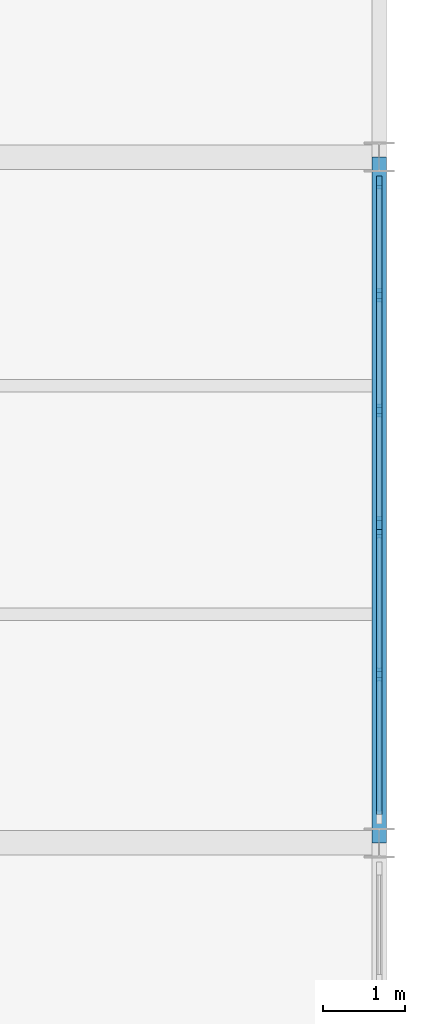
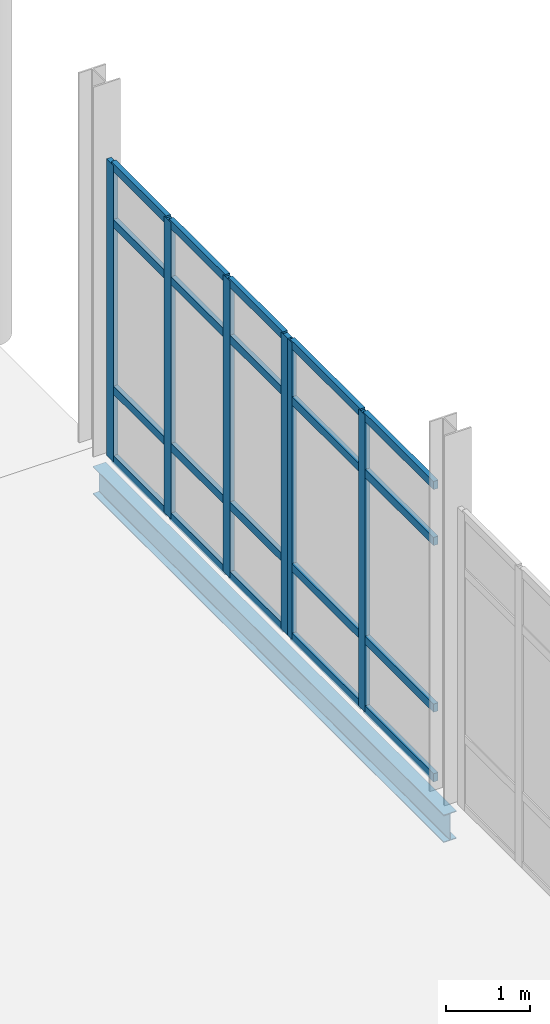
# One storey, part 70 of 111: 26 members, 1 beam, 2 elements without a shape of their own.
"""IFC4 building model written with IfcOpenShell, lengths in metres."""

from ifc_helpers import new_model, si_unit, direction, frame, origin, origin_2d, place, context, subcontext, project, spatial, rectangle, i_section, extrude, material, layer, layer_set, material_profile, profile_set, type_object, element, aggregate, save


model = new_model("IFC4")

# Units and contexts
model_context = context("Model", 3, precision=1e-05, world=origin(), true_north=direction((0.0, 1.0)))
body_context = subcontext(model_context, "Body", "Model", "MODEL_VIEW")
ifc_project = project(units=[si_unit("LENGTHUNIT", "METRE"), si_unit("AREAUNIT", "SQUARE_METRE"), si_unit("VOLUMEUNIT", "CUBIC_METRE"), si_unit("PLANEANGLEUNIT", "RADIAN"), si_unit("MASSUNIT", "GRAM", prefix="KILO"), si_unit("THERMODYNAMICTEMPERATUREUNIT", "KELVIN"), si_unit("POWERUNIT", "WATT")], contexts=[model_context])

# Site, building, storey
site_placement = place(None, origin())
site = spatial("IfcSite", under=ifc_project, at=site_placement, CompositionType="ELEMENT")
building_placement = place(site_placement, origin())
building = spatial("IfcBuilding", under=site, at=building_placement, Name="Tembeka Court Mobility Hub", CompositionType="ELEMENT")
storey_placement = place(building_placement, origin())
storey = spatial("IfcBuildingStorey", under=building, at=storey_placement, Name="L00", CompositionType="ELEMENT", Elevation=0.0)

# Beam
ifc_material_1 = material(Name="Steel S355", Category="steel")
ifc_material_profile_1 = material_profile(ifc_material_1, i_section(OverallWidth=0.177978515625, OverallDepth=0.406005859375, WebThickness=0.0078125, FlangeThickness=0.0126953125, FilletRadius=0.01025390625, at=origin_2d()), Name="UKB 406x178x60")
ifc_profile_set_1 = profile_set([ifc_material_profile_1], Name="Steel S355")
beam_type = type_object("IfcBeamType", Name="BM-B02", PredefinedType="BEAM", material=ifc_profile_set_1)
beam_placement = place(storey_placement, frame((176.39990234375, 55.199951171875, -0.48291015625), z_axis=(0.0, 1.0, 0.0), x_axis=(-1.0, 0.0, 0.0)))
element("IfcBeam", 1, at=beam_placement, inside=storey, type_object=beam_type, Name="Beam B02 (BM-L00-Y0324)", PredefinedType="BEAM", context=body_context, shape_type="SweptSolid", body=[
    extrude(i_section(OverallWidth=0.177978515625, OverallDepth=0.406005859375, WebThickness=0.0078125, FlangeThickness=0.0126953125, FilletRadius=0.01025390625, at=origin_2d()), origin(), (0.0, 0.0, 1.0), 8.400146484375),
])

# Curtain wall, members
ifc_material_2 = material(Name="Anodised aluminium 6063-T6", Category="aluminium")
ifc_layer_1 = layer(ifc_material_2, 0.159912109375)
ifc_layer_set_1 = layer_set([ifc_layer_1], Name="Anodised aluminium 6063-T6")
curtain_wall_type_1 = type_object("IfcCurtainWallType", Name="CW-SYS04", PredefinedType="USERDEFINED", material=ifc_layer_set_1)
curtain_wall_1_placement = place(storey_placement, origin())
curtain_wall_1 = element("IfcCurtainWall", 2, at=curtain_wall_1_placement, inside=storey, type_object=curtain_wall_type_1, Name="Unitised curtain wall CW04 (CW-L00-099)", ObjectType="UNITISED GLAZING", PredefinedType="USERDEFINED")
ifc_material_profile_2 = material_profile(ifc_material_2, rectangle(XDim=0.06494140625, YDim=0.159912109375, at=origin_2d()), Name="ALU-MUL 65x160")
ifc_profile_set_2 = profile_set([ifc_material_profile_2], Name="Anodised aluminium 6063-T6")
member_type_1 = type_object("IfcMemberType", Name="CW-MUL01", PredefinedType="MULLION", material=ifc_profile_set_2)
member_1_placement = place(storey_placement, frame((176.39990234375, 57.261962890625, 0.0), z_axis=(0.0, 0.0, 1.0), x_axis=(-1.0, 0.0, 0.0)))
member_1 = element("IfcMember", 3, at=member_1_placement, type_object=member_type_1, Name="CW04 mullion 2", PredefinedType="MULLION", context=body_context, shape_type="SweptSolid", body=[
    extrude(rectangle(XDim=0.06494140625, YDim=0.159912109375, at=origin_2d()), origin(), (0.0, 0.0, 1.0), 4.3349609375),
])
member_2_placement = place(storey_placement, frame((176.39990234375, 59.011474609375, 0.0), z_axis=(0.0, 0.0, 1.0), x_axis=(-1.0, 0.0, 0.0)))
member_2 = element("IfcMember", 4, at=member_2_placement, type_object=member_type_1, Name="CW04 mullion 3", PredefinedType="MULLION", context=body_context, shape_type="SweptSolid", body=[
    extrude(rectangle(XDim=0.06494140625, YDim=0.159912109375, at=origin_2d()), origin(), (0.0, 0.0, 1.0), 4.3349609375),
])

ifc_layer_2 = layer(ifc_material_2, 0.159912109375)
ifc_layer_set_2 = layer_set([ifc_layer_2], Name="Anodised aluminium 6063-T6")
curtain_wall_type_2 = type_object("IfcCurtainWallType", Name="CW-SYS05", PredefinedType="USERDEFINED", material=ifc_layer_set_2)
curtain_wall_2_placement = place(storey_placement, origin())
curtain_wall_2 = element("IfcCurtainWall", 5, at=curtain_wall_2_placement, inside=storey, type_object=curtain_wall_type_2, Name="Unitised curtain wall CW05 (CW-L00-100)", ObjectType="UNITISED GLAZING", PredefinedType="USERDEFINED")
member_3_placement = place(storey_placement, frame((176.39990234375, 59.116455078125, 0.0), z_axis=(0.0, 0.0, 1.0), x_axis=(-1.0, 0.0, 0.0)))
member_3 = element("IfcMember", 6, at=member_3_placement, type_object=member_type_1, Name="CW05 mullion 1", PredefinedType="MULLION", context=body_context, shape_type="SweptSolid", body=[
    extrude(rectangle(XDim=0.06494140625, YDim=0.159912109375, at=origin_2d()), origin(), (0.0, 0.0, 1.0), 4.3349609375),
])
member_4_placement = place(storey_placement, frame((176.39990234375, 60.49609375, 0.0), z_axis=(0.0, 0.0, 1.0), x_axis=(-1.0, 0.0, 0.0)))
member_4 = element("IfcMember", 7, at=member_4_placement, type_object=member_type_1, Name="CW05 mullion 2", PredefinedType="MULLION", context=body_context, shape_type="SweptSolid", body=[
    extrude(rectangle(XDim=0.06494140625, YDim=0.159912109375, at=origin_2d()), origin(), (0.0, 0.0, 1.0), 4.3349609375),
])
member_5_placement = place(storey_placement, frame((176.39990234375, 61.907958984375, 0.0), z_axis=(0.0, 0.0, 1.0), x_axis=(-1.0, 0.0, 0.0)))
member_5 = element("IfcMember", 8, at=member_5_placement, type_object=member_type_1, Name="CW05 mullion 3", PredefinedType="MULLION", context=body_context, shape_type="SweptSolid", body=[
    extrude(rectangle(XDim=0.06494140625, YDim=0.159912109375, at=origin_2d()), origin(), (0.0, 0.0, 1.0), 4.3349609375),
])
member_6_placement = place(storey_placement, frame((176.39990234375, 63.28759765625, 0.0), z_axis=(0.0, 0.0, 1.0), x_axis=(-1.0, 0.0, 0.0)))
member_6 = element("IfcMember", 9, at=member_6_placement, type_object=member_type_1, Name="CW05 mullion 4", PredefinedType="MULLION", context=body_context, shape_type="SweptSolid", body=[
    extrude(rectangle(XDim=0.06494140625, YDim=0.159912109375, at=origin_2d()), origin(), (0.0, 0.0, 1.0), 4.3349609375),
])

# Member
ifc_material_profile_3 = material_profile(ifc_material_2, rectangle(XDim=0.06494140625, YDim=0.1201171875, at=origin_2d()), Name="ALU-TRN 65x120")
ifc_profile_set_3 = profile_set([ifc_material_profile_3], Name="Anodised aluminium 6063-T6")
member_type_2 = type_object("IfcMemberType", Name="CW-TRN01", PredefinedType="USERDEFINED", material=ifc_profile_set_3)
member_7_placement = place(storey_placement, frame((176.39990234375, 55.544921875, 0.032470703125), z_axis=(0.0, 1.0, 0.0), x_axis=(-1.0, 0.0, 0.0)))
member_7 = element("IfcMember", 10, at=member_7_placement, type_object=member_type_2, Name="CW04 transom 1.1", ObjectType="TRANSOM", PredefinedType="USERDEFINED", context=body_context, shape_type="SweptSolid", body=[
    extrude(rectangle(XDim=0.06494140625, YDim=0.1201171875, at=origin_2d()), origin(), (0.0, 0.0, 1.0), 1.6845703125),
])

member_8_placement = place(storey_placement, frame((176.39990234375, 55.544921875, 1.050048828125), z_axis=(0.0, 1.0, 0.0), x_axis=(-1.0, 0.0, 0.0)))
member_8 = element("IfcMember", 11, at=member_8_placement, type_object=member_type_2, Name="CW04 transom 1.2", ObjectType="TRANSOM", PredefinedType="USERDEFINED", context=body_context, shape_type="SweptSolid", body=[
    extrude(rectangle(XDim=0.06494140625, YDim=0.1201171875, at=origin_2d()), origin(), (0.0, 0.0, 1.0), 1.6845703125),
])

member_9_placement = place(storey_placement, frame((176.39990234375, 55.544921875, 3.485107421875), z_axis=(0.0, 1.0, 0.0), x_axis=(-1.0, 0.0, 0.0)))
member_9 = element("IfcMember", 12, at=member_9_placement, type_object=member_type_2, Name="CW04 transom 1.3", ObjectType="TRANSOM", PredefinedType="USERDEFINED", context=body_context, shape_type="SweptSolid", body=[
    extrude(rectangle(XDim=0.06494140625, YDim=0.1201171875, at=origin_2d()), origin(), (0.0, 0.0, 1.0), 1.6845703125),
])

member_10_placement = place(storey_placement, frame((176.39990234375, 55.544921875, 4.302490234375), z_axis=(0.0, 1.0, 0.0), x_axis=(-1.0, 0.0, 0.0)))
member_10 = element("IfcMember", 13, at=member_10_placement, type_object=member_type_2, Name="CW04 transom 1.4", ObjectType="TRANSOM", PredefinedType="USERDEFINED", context=body_context, shape_type="SweptSolid", body=[
    extrude(rectangle(XDim=0.06494140625, YDim=0.1201171875, at=origin_2d()), origin(), (0.0, 0.0, 1.0), 1.6845703125),
])

member_11_placement = place(storey_placement, frame((176.39990234375, 57.29443359375, 0.032470703125), z_axis=(0.0, 1.0, 0.0), x_axis=(-1.0, 0.0, 0.0)))
member_11 = element("IfcMember", 14, at=member_11_placement, type_object=member_type_2, Name="CW04 transom 2.1", ObjectType="TRANSOM", PredefinedType="USERDEFINED", context=body_context, shape_type="SweptSolid", body=[
    extrude(rectangle(XDim=0.06494140625, YDim=0.1201171875, at=origin_2d()), origin(), (0.0, 0.0, 1.0), 1.6845703125),
])

member_12_placement = place(storey_placement, frame((176.39990234375, 57.29443359375, 1.050048828125), z_axis=(0.0, 1.0, 0.0), x_axis=(-1.0, 0.0, 0.0)))
member_12 = element("IfcMember", 15, at=member_12_placement, type_object=member_type_2, Name="CW04 transom 2.2", ObjectType="TRANSOM", PredefinedType="USERDEFINED", context=body_context, shape_type="SweptSolid", body=[
    extrude(rectangle(XDim=0.06494140625, YDim=0.1201171875, at=origin_2d()), origin(), (0.0, 0.0, 1.0), 1.6845703125),
])

member_13_placement = place(storey_placement, frame((176.39990234375, 57.29443359375, 3.485107421875), z_axis=(0.0, 1.0, 0.0), x_axis=(-1.0, 0.0, 0.0)))
member_13 = element("IfcMember", 16, at=member_13_placement, type_object=member_type_2, Name="CW04 transom 2.3", ObjectType="TRANSOM", PredefinedType="USERDEFINED", context=body_context, shape_type="SweptSolid", body=[
    extrude(rectangle(XDim=0.06494140625, YDim=0.1201171875, at=origin_2d()), origin(), (0.0, 0.0, 1.0), 1.6845703125),
])

member_14_placement = place(storey_placement, frame((176.39990234375, 57.29443359375, 4.302490234375), z_axis=(0.0, 1.0, 0.0), x_axis=(-1.0, 0.0, 0.0)))
member_14 = element("IfcMember", 17, at=member_14_placement, type_object=member_type_2, Name="CW04 transom 2.4", ObjectType="TRANSOM", PredefinedType="USERDEFINED", context=body_context, shape_type="SweptSolid", body=[
    extrude(rectangle(XDim=0.06494140625, YDim=0.1201171875, at=origin_2d()), origin(), (0.0, 0.0, 1.0), 1.6845703125),
])

aggregate(curtain_wall_1, [member_1, member_2, member_7, member_8, member_9, member_10, member_11, member_12, member_13, member_14])

member_15_placement = place(storey_placement, frame((176.39990234375, 59.14892578125, 0.032470703125), z_axis=(0.0, 1.0, 0.0), x_axis=(-1.0, 0.0, 0.0)))
member_15 = element("IfcMember", 18, at=member_15_placement, type_object=member_type_2, Name="CW05 transom 1.1", ObjectType="TRANSOM", PredefinedType="USERDEFINED", context=body_context, shape_type="SweptSolid", body=[
    extrude(rectangle(XDim=0.06494140625, YDim=0.1201171875, at=origin_2d()), origin(), (0.0, 0.0, 1.0), 1.314453125),
])

member_16_placement = place(storey_placement, frame((176.39990234375, 59.14892578125, 1.050048828125), z_axis=(0.0, 1.0, 0.0), x_axis=(-1.0, 0.0, 0.0)))
member_16 = element("IfcMember", 19, at=member_16_placement, type_object=member_type_2, Name="CW05 transom 1.2", ObjectType="TRANSOM", PredefinedType="USERDEFINED", context=body_context, shape_type="SweptSolid", body=[
    extrude(rectangle(XDim=0.06494140625, YDim=0.1201171875, at=origin_2d()), origin(), (0.0, 0.0, 1.0), 1.314453125),
])

member_17_placement = place(storey_placement, frame((176.39990234375, 59.14892578125, 3.485107421875), z_axis=(0.0, 1.0, 0.0), x_axis=(-1.0, 0.0, 0.0)))
member_17 = element("IfcMember", 20, at=member_17_placement, type_object=member_type_2, Name="CW05 transom 1.3", ObjectType="TRANSOM", PredefinedType="USERDEFINED", context=body_context, shape_type="SweptSolid", body=[
    extrude(rectangle(XDim=0.06494140625, YDim=0.1201171875, at=origin_2d()), origin(), (0.0, 0.0, 1.0), 1.314453125),
])

member_18_placement = place(storey_placement, frame((176.39990234375, 59.14892578125, 4.302490234375), z_axis=(0.0, 1.0, 0.0), x_axis=(-1.0, 0.0, 0.0)))
member_18 = element("IfcMember", 21, at=member_18_placement, type_object=member_type_2, Name="CW05 transom 1.4", ObjectType="TRANSOM", PredefinedType="USERDEFINED", context=body_context, shape_type="SweptSolid", body=[
    extrude(rectangle(XDim=0.06494140625, YDim=0.1201171875, at=origin_2d()), origin(), (0.0, 0.0, 1.0), 1.314453125),
])

member_19_placement = place(storey_placement, frame((176.39990234375, 60.528564453125, 0.032470703125), z_axis=(0.0, 1.0, 0.0), x_axis=(-1.0, 0.0, 0.0)))
member_19 = element("IfcMember", 22, at=member_19_placement, type_object=member_type_2, Name="CW05 transom 2.1", ObjectType="TRANSOM", PredefinedType="USERDEFINED", context=body_context, shape_type="SweptSolid", body=[
    extrude(rectangle(XDim=0.06494140625, YDim=0.1201171875, at=origin_2d()), origin(), (0.0, 0.0, 1.0), 1.346923828125),
])

member_20_placement = place(storey_placement, frame((176.39990234375, 60.528564453125, 1.050048828125), z_axis=(0.0, 1.0, 0.0), x_axis=(-1.0, 0.0, 0.0)))
member_20 = element("IfcMember", 23, at=member_20_placement, type_object=member_type_2, Name="CW05 transom 2.2", ObjectType="TRANSOM", PredefinedType="USERDEFINED", context=body_context, shape_type="SweptSolid", body=[
    extrude(rectangle(XDim=0.06494140625, YDim=0.1201171875, at=origin_2d()), origin(), (0.0, 0.0, 1.0), 1.346923828125),
])

member_21_placement = place(storey_placement, frame((176.39990234375, 60.528564453125, 3.485107421875), z_axis=(0.0, 1.0, 0.0), x_axis=(-1.0, 0.0, 0.0)))
member_21 = element("IfcMember", 24, at=member_21_placement, type_object=member_type_2, Name="CW05 transom 2.3", ObjectType="TRANSOM", PredefinedType="USERDEFINED", context=body_context, shape_type="SweptSolid", body=[
    extrude(rectangle(XDim=0.06494140625, YDim=0.1201171875, at=origin_2d()), origin(), (0.0, 0.0, 1.0), 1.346923828125),
])

member_22_placement = place(storey_placement, frame((176.39990234375, 60.528564453125, 4.302490234375), z_axis=(0.0, 1.0, 0.0), x_axis=(-1.0, 0.0, 0.0)))
member_22 = element("IfcMember", 25, at=member_22_placement, type_object=member_type_2, Name="CW05 transom 2.4", ObjectType="TRANSOM", PredefinedType="USERDEFINED", context=body_context, shape_type="SweptSolid", body=[
    extrude(rectangle(XDim=0.06494140625, YDim=0.1201171875, at=origin_2d()), origin(), (0.0, 0.0, 1.0), 1.346923828125),
])

member_23_placement = place(storey_placement, frame((176.39990234375, 61.9404296875, 0.032470703125), z_axis=(0.0, 1.0, 0.0), x_axis=(-1.0, 0.0, 0.0)))
member_23 = element("IfcMember", 26, at=member_23_placement, type_object=member_type_2, Name="CW05 transom 3.1", ObjectType="TRANSOM", PredefinedType="USERDEFINED", context=body_context, shape_type="SweptSolid", body=[
    extrude(rectangle(XDim=0.06494140625, YDim=0.1201171875, at=origin_2d()), origin(), (0.0, 0.0, 1.0), 1.314453125),
])

member_24_placement = place(storey_placement, frame((176.39990234375, 61.9404296875, 1.050048828125), z_axis=(0.0, 1.0, 0.0), x_axis=(-1.0, 0.0, 0.0)))
member_24 = element("IfcMember", 27, at=member_24_placement, type_object=member_type_2, Name="CW05 transom 3.2", ObjectType="TRANSOM", PredefinedType="USERDEFINED", context=body_context, shape_type="SweptSolid", body=[
    extrude(rectangle(XDim=0.06494140625, YDim=0.1201171875, at=origin_2d()), origin(), (0.0, 0.0, 1.0), 1.314453125),
])

member_25_placement = place(storey_placement, frame((176.39990234375, 61.9404296875, 3.485107421875), z_axis=(0.0, 1.0, 0.0), x_axis=(-1.0, 0.0, 0.0)))
member_25 = element("IfcMember", 28, at=member_25_placement, type_object=member_type_2, Name="CW05 transom 3.3", ObjectType="TRANSOM", PredefinedType="USERDEFINED", context=body_context, shape_type="SweptSolid", body=[
    extrude(rectangle(XDim=0.06494140625, YDim=0.1201171875, at=origin_2d()), origin(), (0.0, 0.0, 1.0), 1.314453125),
])

member_26_placement = place(storey_placement, frame((176.39990234375, 61.9404296875, 4.302490234375), z_axis=(0.0, 1.0, 0.0), x_axis=(-1.0, 0.0, 0.0)))
member_26 = element("IfcMember", 29, at=member_26_placement, type_object=member_type_2, Name="CW05 transom 3.4", ObjectType="TRANSOM", PredefinedType="USERDEFINED", context=body_context, shape_type="SweptSolid", body=[
    extrude(rectangle(XDim=0.06494140625, YDim=0.1201171875, at=origin_2d()), origin(), (0.0, 0.0, 1.0), 1.314453125),
])

aggregate(curtain_wall_2, [member_3, member_4, member_5, member_6, member_15, member_16, member_17, member_18, member_19, member_20, member_21, member_22, member_23, member_24, member_25, member_26])

save(model, "model.ifc")
